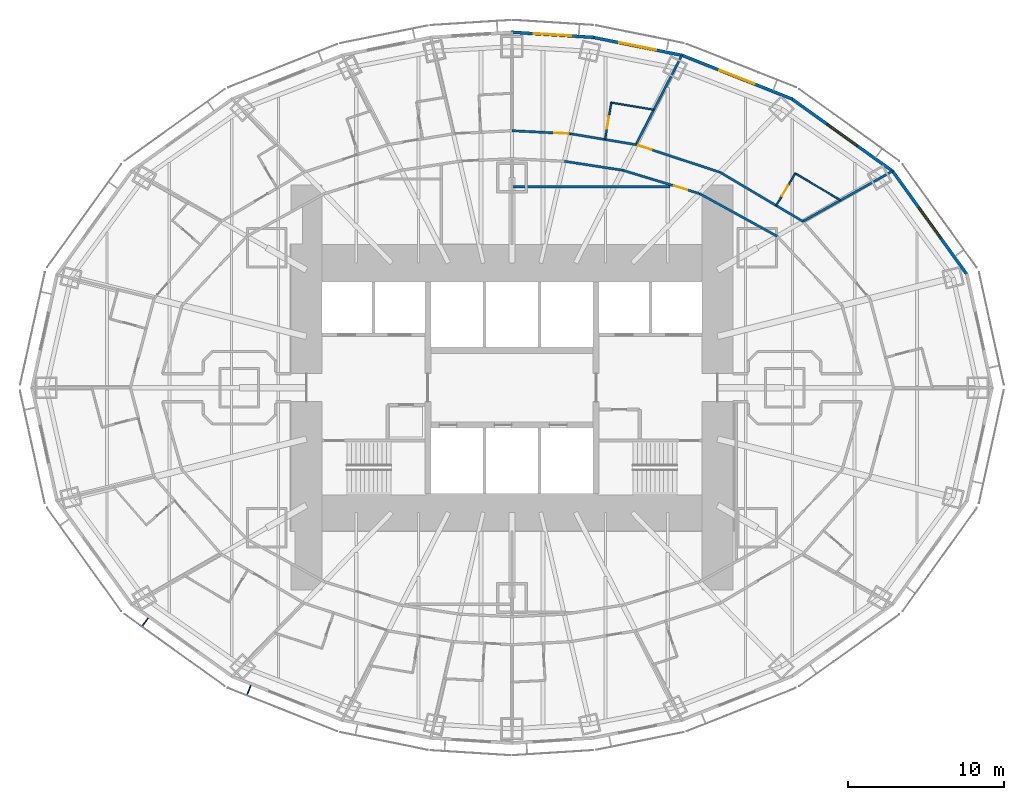
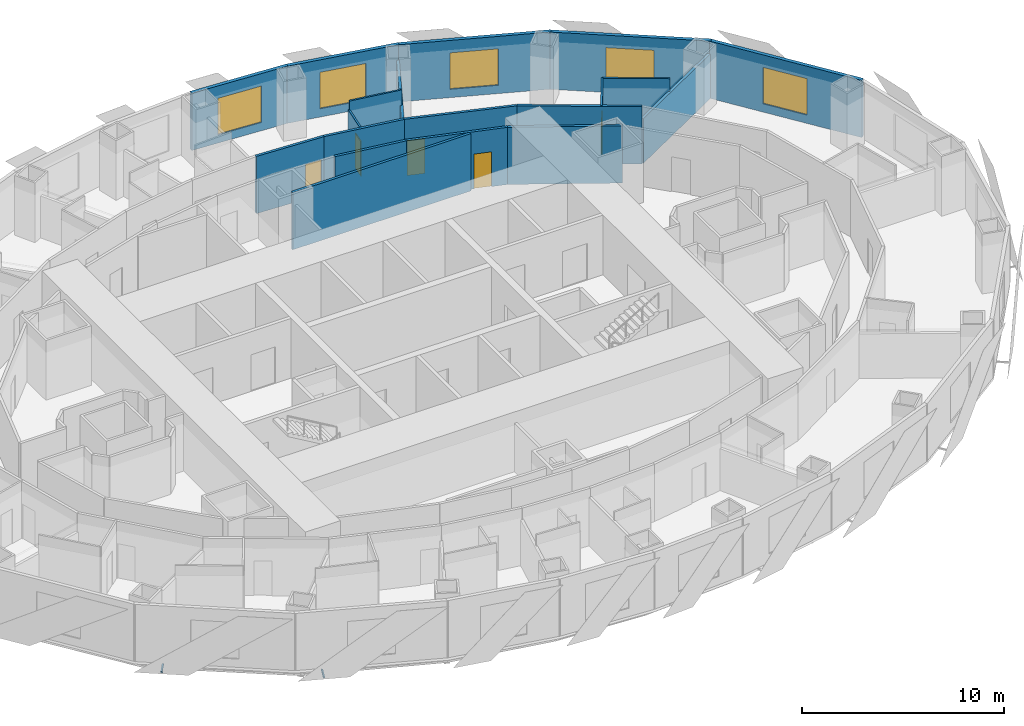
# One storey, part 10 of 15: 19 walls, 5 doors, 5 windows, 2 discrete accessories, 10 openings.
"""IFC4 building model written with IfcOpenShell, lengths in metres."""

from ifc_helpers import new_model, si_unit, direction, frame, frame_2d, origin, origin_2d, place, context, subcontext, project, spatial, rectangle, extrude, material, layer, layer_set, type_object, element, fill, save


model = new_model("IFC4")

# Units and contexts
model_context = context("Model", 3, precision=1e-05, world=origin(), true_north=direction((0.0, 1.0)))
body_context = subcontext(model_context, "Body", "Model", "MODEL_VIEW")
ifc_project = project(units=[si_unit("LENGTHUNIT", "METRE"), si_unit("AREAUNIT", "SQUARE_METRE"), si_unit("VOLUMEUNIT", "CUBIC_METRE"), si_unit("PLANEANGLEUNIT", "RADIAN"), si_unit("MASSUNIT", "GRAM", prefix="KILO")], contexts=[model_context])

# Site, building, storey
site_placement = place(None, origin())
site = spatial("IfcSite", under=ifc_project, at=site_placement, CompositionType="ELEMENT")
building_placement = place(site_placement, origin())
building = spatial("IfcBuilding", under=site, at=building_placement, Name="Lantaw Convention Tower", CompositionType="ELEMENT")
storey_placement = place(building_placement, frame((0.0, 0.0, 62.199951171875)))
storey = spatial("IfcBuildingStorey", under=building, at=storey_placement, Name="L13", CompositionType="ELEMENT", Elevation=62.199951171875)

# Wall
ifc_material_1 = material(Name="Gypsum board on steel studs", Category="steel")
ifc_layer_1 = layer(ifc_material_1, 0.14990234375)
ifc_layer_set_1 = layer_set([ifc_layer_1], Name="Back of house wall 150")
wall_type_1 = type_object("IfcWallType", Name="Back of house wall 150", PredefinedType="PARTITIONING", material=ifc_layer_set_1)
wall_1_placement = place(storey_placement, frame((10.15283203125, 12.89990234375, 0.0), z_axis=(0.0, 0.0, 1.0), x_axis=(-1.0, 0.0, 0.0)))
element("IfcWall", 1, at=wall_1_placement, inside=storey, type_object=wall_type_1, Name="Back of house wall 150", PredefinedType="PARTITIONING", context=body_context, shape_type="SweptSolid", body=[
    extrude(rectangle(XDim=10.15283203125, YDim=0.14990234375, at=frame_2d((5.076416015625, 0.0))), origin(), (0.0, 0.0, 1.0), 3.449951171875),
])

# Wall, opening, door
ifc_material_2 = material(Name="Moisture resistant gypsum board on steel studs", Category="steel")
ifc_layer_2 = layer(ifc_material_2, 0.10009765625)
ifc_layer_set_2 = layer_set([ifc_layer_2], Name="Bathroom wall 100")
wall_type_2 = type_object("IfcWallType", Name="Bathroom wall 100", PredefinedType="PARTITIONING", material=ifc_layer_set_2)
wall_2_placement = place(storey_placement, frame((16.961181640625, 11.6953125, 0.0), z_axis=(0.0, 0.0, 1.0), x_axis=(0.510075642074, 0.860129548012, 0.0)))
wall_2 = element("IfcWall", 2, at=wall_2_placement, inside=storey, type_object=wall_type_2, Name="Bathroom wall 100", PredefinedType="PARTITIONING", context=body_context, shape_type="SweptSolid", body=[
    extrude(rectangle(XDim=2.39990234375, YDim=0.10009765625, at=frame_2d((1.199951171875, 0.0))), origin(), (0.0, 0.0, 1.0), 3.449951171875),
])
opening_1_placement = place(wall_2_placement, frame((0.699951171875, 0.0, 0.0)))
opening_1 = element("IfcOpeningElement", 3, at=opening_1_placement, cuts=wall_2, Name="Opening L13.27", PredefinedType="OPENING", context=body_context, shape_type="SweptSolid", body=[
    extrude(rectangle(XDim=0.800048828125, YDim=2.10009765625, at=frame_2d((0.39990234375, 1.050048828125))), frame((0.0, 0.06005859375, 0.0), z_axis=(0.0, -1.0, 0.0), x_axis=(1.0, 0.0, 0.0)), (0.0, 0.0, 1.0), 0.1201171875),
])
ifc_material_3 = material(Name="Timber", Category="wood")
door_type_1 = type_object("IfcDoorType", Name="Bathroom door 800", OperationType="SINGLE_SWING_LEFT", PredefinedType="DOOR", material=ifc_material_3)
door_1_placement = place(opening_1_placement, origin())
door_1 = element("IfcDoor", 4, at=door_1_placement, inside=storey, type_object=door_type_1, Name="Bathroom door", OperationType="SINGLE_SWING_LEFT", OverallHeight=2.10009765625, OverallWidth=0.800048828125, PredefinedType="DOOR", context=body_context, shape_type="SweptSolid", body=[
    extrude(rectangle(XDim=0.800048828125, YDim=2.10009765625, at=frame_2d((0.39990234375, 1.050048828125))), frame((0.0, 0.02490234375, 0.0), z_axis=(0.0, -1.0, 0.0), x_axis=(1.0, 0.0, 0.0)), (0.0, 0.0, 1.0), 0.050048828125),
])
fill(opening_1, door_1)

# Wall
wall_3_placement = place(storey_placement, frame((18.185302734375, 13.759521484375, 0.0), z_axis=(0.0, 0.0, 1.0), x_axis=(0.860146437071, -0.510047161343, 0.0)))
element("IfcWall", 5, at=wall_3_placement, inside=storey, type_object=wall_type_2, Name="Bathroom wall 100", PredefinedType="PARTITIONING", context=body_context, shape_type="SweptSolid", body=[
    extrude(rectangle(XDim=3.362548828125, YDim=0.10009765625, at=frame_2d((1.68115234375, 0.0))), origin(), (0.0, 0.0, 1.0), 3.449951171875),
])

# Wall, opening, door
wall_4_placement = place(storey_placement, frame((5.979248046875, 15.935302734375, 0.0), z_axis=(0.0, 0.0, 1.0), x_axis=(0.164283516215, 0.986413162067, 0.0)))
wall_4 = element("IfcWall", 6, at=wall_4_placement, inside=storey, type_object=wall_type_2, Name="Bathroom wall 100", PredefinedType="PARTITIONING", context=body_context, shape_type="SweptSolid", body=[
    extrude(rectangle(XDim=2.400146484375, YDim=0.10009765625, at=frame_2d((1.2001953125, 0.0))), origin(), (0.0, 0.0, 1.0), 2.9140625),
])
opening_2_placement = place(wall_4_placement, frame((0.699951171875, 0.0, 0.0)))
opening_2 = element("IfcOpeningElement", 7, at=opening_2_placement, cuts=wall_4, Name="Opening L13.29", PredefinedType="OPENING", context=body_context, shape_type="SweptSolid", body=[
    extrude(rectangle(XDim=0.800048828125, YDim=2.10009765625, at=frame_2d((0.39990234375, 1.050048828125))), frame((0.0, 0.06005859375, 0.0), z_axis=(0.0, -1.0, 0.0), x_axis=(1.0, 0.0, 0.0)), (0.0, 0.0, 1.0), 0.1201171875),
])
door_2_placement = place(opening_2_placement, origin())
door_2 = element("IfcDoor", 8, at=door_2_placement, inside=storey, type_object=door_type_1, Name="Bathroom door", OperationType="SINGLE_SWING_LEFT", OverallHeight=2.10009765625, OverallWidth=0.800048828125, PredefinedType="DOOR", context=body_context, shape_type="SweptSolid", body=[
    extrude(rectangle(XDim=0.800048828125, YDim=2.10009765625, at=frame_2d((0.39990234375, 1.050048828125))), frame((0.0, 0.02490234375, 0.0), z_axis=(0.0, -1.0, 0.0), x_axis=(1.0, 0.0, 0.0)), (0.0, 0.0, 1.0), 0.050048828125),
])
fill(opening_2, door_2)

# Walls
wall_5_placement = place(storey_placement, frame((6.37353515625, 18.302734375, 0.0), z_axis=(0.0, 0.0, 1.0), x_axis=(0.98640348956, -0.164341582641, 0.0)))
element("IfcWall", 9, at=wall_5_placement, inside=storey, type_object=wall_type_2, Name="Bathroom wall 100", PredefinedType="PARTITIONING", context=body_context, shape_type="SweptSolid", body=[
    extrude(rectangle(XDim=2.7587890625, YDim=0.10009765625, at=frame_2d((1.37939453125, 0.0))), origin(), (0.0, 0.0, 1.0), 3.449951171875),
])
ifc_material_4 = material(Name="Gypsum board on steel studs, fire rated", Category="steel")
ifc_layer_3 = layer(ifc_material_4, 0.14990234375)
ifc_layer_set_3 = layer_set([ifc_layer_3], Name="Corridor wall 150 EI 60")
wall_type_3 = type_object("IfcWallType", Name="Corridor wall 150 EI 60", PredefinedType="PARTITIONING", material=ifc_layer_set_3)
wall_6_placement = place(storey_placement, frame((18.681396484375, 10.675048828125, 0.0), z_axis=(0.0, 0.0, 1.0), x_axis=(-0.860147339762, 0.510045639036, 0.0)))
element("IfcWall", 10, at=wall_6_placement, inside=storey, type_object=wall_type_3, Name="Corridor wall 150", PredefinedType="PARTITIONING", context=body_context, shape_type="SweptSolid", body=[
    extrude(rectangle(XDim=6.189697265625, YDim=0.14990234375, at=frame_2d((3.0947265625, 0.0))), origin(), (0.0, 0.0, 1.0), 3.449951171875),
])

# Wall, opening, door
wall_7_placement = place(storey_placement, frame((13.357421875, 13.83203125, 0.0), z_axis=(0.0, 0.0, 1.0), x_axis=(-0.950106803111, 0.311924770869, 0.0)))
wall_7 = element("IfcWall", 11, at=wall_7_placement, inside=storey, type_object=wall_type_3, Name="Corridor wall 150", PredefinedType="PARTITIONING", context=body_context, shape_type="SweptSolid", body=[
    extrude(rectangle(XDim=5.689453125, YDim=0.14990234375, at=frame_2d((2.8447265625, 0.0))), origin(), (0.0, 0.0, 1.0), 3.449951171875),
])
opening_3_placement = place(wall_7_placement, frame((4.639404296875, 0.0, 0.0)))
opening_3 = element("IfcOpeningElement", 12, at=opening_3_placement, cuts=wall_7, Name="Opening L13.28", PredefinedType="OPENING", context=body_context, shape_type="SweptSolid", body=[
    extrude(rectangle(XDim=0.89990234375, YDim=2.10009765625, at=frame_2d((0.449951171875, 1.050048828125))), frame((0.0, 0.0849609375, 0.0), z_axis=(0.0, -1.0, 0.0), x_axis=(1.0, 0.0, 0.0)), (0.0, 0.0, 1.0), 0.169921875),
])
ifc_material_5 = material(Name="Steel, fire rated", Category="steel")
door_type_2 = type_object("IfcDoorType", Name="Guest room entrance door FD30S", OperationType="SINGLE_SWING_LEFT", PredefinedType="DOOR", material=ifc_material_5)
door_3_placement = place(opening_3_placement, origin())
door_3 = element("IfcDoor", 13, at=door_3_placement, inside=storey, type_object=door_type_2, Name="Junior suite entrance door", OperationType="SINGLE_SWING_LEFT", OverallHeight=2.10009765625, OverallWidth=0.89990234375, PredefinedType="DOOR", context=body_context, shape_type="SweptSolid", body=[
    extrude(rectangle(XDim=0.89990234375, YDim=2.10009765625, at=frame_2d((0.449951171875, 1.050048828125))), frame((0.0, 0.02490234375, 0.0), z_axis=(0.0, -1.0, 0.0), x_axis=(1.0, 0.0, 0.0)), (0.0, 0.0, 1.0), 0.050048828125),
])
fill(opening_3, door_3)

# Wall
wall_8_placement = place(storey_placement, frame((7.951904296875, 15.606689453125, 0.0), z_axis=(0.0, 0.0, 1.0), x_axis=(-0.98641101506, 0.164296407044, 0.0)))
element("IfcWall", 14, at=wall_8_placement, inside=storey, type_object=wall_type_3, Name="Corridor wall 150", PredefinedType="PARTITIONING", context=body_context, shape_type="SweptSolid", body=[
    extrude(rectangle(XDim=4.245361328125, YDim=0.14990234375, at=frame_2d((2.12255859375, 0.0))), origin(), (0.0, 0.0, 1.0), 3.449951171875),
])

# Wall, opening, door
wall_9_placement = place(storey_placement, frame((3.76416015625, 16.30419921875, 0.0), z_axis=(0.0, 0.0, 1.0), x_axis=(-0.998649848759, 0.05194689186, 0.0)))
wall_9 = element("IfcWall", 15, at=wall_9_placement, inside=storey, type_object=wall_type_3, Name="Corridor wall 150", PredefinedType="PARTITIONING", context=body_context, shape_type="SweptSolid", body=[
    extrude(rectangle(XDim=3.769287109375, YDim=0.14990234375, at=frame_2d((1.884765625, 0.0))), origin(), (0.0, 0.0, 1.0), 3.449951171875),
])
opening_4_placement = place(wall_9_placement, frame((0.14990234375, 0.0, 0.0)))
opening_4 = element("IfcOpeningElement", 16, at=opening_4_placement, cuts=wall_9, Name="Opening L13.30", PredefinedType="OPENING", context=body_context, shape_type="SweptSolid", body=[
    extrude(rectangle(XDim=0.89990234375, YDim=2.10009765625, at=frame_2d((0.449951171875, 1.050048828125))), frame((0.0, 0.0849609375, 0.0), z_axis=(0.0, -1.0, 0.0), x_axis=(1.0, 0.0, 0.0)), (0.0, 0.0, 1.0), 0.169921875),
])
door_4_placement = place(opening_4_placement, origin())
door_4 = element("IfcDoor", 17, at=door_4_placement, inside=storey, type_object=door_type_2, Name="Junior suite entrance door", OperationType="SINGLE_SWING_LEFT", OverallHeight=2.10009765625, OverallWidth=0.89990234375, PredefinedType="DOOR", context=body_context, shape_type="SweptSolid", body=[
    extrude(rectangle(XDim=0.89990234375, YDim=2.10009765625, at=frame_2d((0.449951171875, 1.050048828125))), frame((0.0, 0.02490234375, 0.0), z_axis=(0.0, -1.0, 0.0), x_axis=(1.0, 0.0, 0.0)), (0.0, 0.0, 1.0), 0.050048828125),
])
fill(opening_4, door_4)

# Wall
wall_10_placement = place(storey_placement, frame((17.020751953125, 9.72607421875, 0.0), z_axis=(0.0, 0.0, 1.0), x_axis=(-0.876522084062, 0.481361647986, 0.0)))
element("IfcWall", 18, at=wall_10_placement, inside=storey, type_object=wall_type_3, Name="Corridor wall 150", PredefinedType="PARTITIONING", context=body_context, shape_type="SweptSolid", body=[
    extrude(rectangle(XDim=5.68701171875, YDim=0.14990234375, at=frame_2d((2.843505859375, 0.0))), origin(), (0.0, 0.0, 1.0), 3.449951171875),
])

# Wall, opening, door
wall_11_placement = place(storey_placement, frame((12.035888671875, 12.463623046875, 0.0), z_axis=(0.0, 0.0, 1.0), x_axis=(-0.956795045135, 0.290763205385, 0.0)))
wall_11 = element("IfcWall", 19, at=wall_11_placement, inside=storey, type_object=wall_type_3, Name="Corridor wall 150", PredefinedType="PARTITIONING", context=body_context, shape_type="SweptSolid", body=[
    extrude(rectangle(XDim=5.1455078125, YDim=0.14990234375, at=frame_2d((2.57275390625, 0.0))), origin(), (0.0, 0.0, 1.0), 3.449951171875),
])
opening_5_placement = place(wall_11_placement, frame((0.81640625, 0.0, 0.0)))
opening_5 = element("IfcOpeningElement", 20, at=opening_5_placement, cuts=wall_11, Name="Opening L13.16", PredefinedType="OPENING", context=body_context, shape_type="SweptSolid", body=[
    extrude(rectangle(XDim=0.89990234375, YDim=2.10009765625, at=frame_2d((0.449951171875, 1.050048828125))), frame((0.0, 0.0849609375, 0.0), z_axis=(0.0, -1.0, 0.0), x_axis=(1.0, 0.0, 0.0)), (0.0, 0.0, 1.0), 0.169921875),
])
door_type_3 = type_object("IfcDoorType", Name="Service door 900 FD30", OperationType="SINGLE_SWING_LEFT", PredefinedType="DOOR", material=ifc_material_5)
door_5_placement = place(opening_5_placement, origin())
door_5 = element("IfcDoor", 21, at=door_5_placement, inside=storey, type_object=door_type_3, Name="Linen store room door", OperationType="SINGLE_SWING_LEFT", OverallHeight=2.10009765625, OverallWidth=0.89990234375, PredefinedType="DOOR", context=body_context, shape_type="SweptSolid", body=[
    extrude(rectangle(XDim=0.89990234375, YDim=2.10009765625, at=frame_2d((0.449951171875, 1.050048828125))), frame((0.0, 0.02490234375, 0.0), z_axis=(0.0, -1.0, 0.0), x_axis=(1.0, 0.0, 0.0)), (0.0, 0.0, 1.0), 0.050048828125),
])
fill(opening_5, door_5)

# Wall
wall_12_placement = place(storey_placement, frame((7.11279296875, 13.959716796875, 0.0), z_axis=(0.0, 0.0, 1.0), x_axis=(-0.988343461108, 0.152240608529, 0.0)))
element("IfcWall", 22, at=wall_12_placement, inside=storey, type_object=wall_type_3, Name="Corridor wall 150", PredefinedType="PARTITIONING", context=body_context, shape_type="SweptSolid", body=[
    extrude(rectangle(XDim=3.800537109375, YDim=0.14990234375, at=frame_2d((1.900390625, 0.0))), origin(), (0.0, 0.0, 1.0), 3.449951171875),
])

# Wall, opening, window
ifc_material_6 = material(Name="Insulated aluminium panel on steel frame", Category="steel")
ifc_layer_4 = layer(ifc_material_6, 0.199951171875)
ifc_layer_set_4 = layer_set([ifc_layer_4], Name="External wall 200")
wall_type_4 = type_object("IfcWallType", Name="External wall 200", PredefinedType="SOLIDWALL", material=ifc_layer_set_4)
wall_13_placement = place(storey_placement, frame((29.260498046875, 7.199951171875, 0.0), z_axis=(0.0, 0.0, 1.0), x_axis=(-0.583937613703, 0.811798536155, 0.0)))
wall_13 = element("IfcWall", 23, at=wall_13_placement, inside=storey, type_object=wall_type_4, Name="Facade panel wall", PredefinedType="SOLIDWALL", context=body_context, shape_type="SweptSolid", body=[
    extrude(rectangle(XDim=8.322998046875, YDim=0.199951171875, at=frame_2d((4.16162109375, 0.0))), origin(), (0.0, 0.0, 1.0), 3.449951171875),
])
opening_6_placement = place(wall_13_placement, frame((2.96142578125, 0.0, 0.5)))
opening_6 = element("IfcOpeningElement", 24, at=opening_6_placement, cuts=wall_13, Name="Opening W1", PredefinedType="OPENING", context=body_context, shape_type="SweptSolid", body=[
    extrude(rectangle(XDim=2.39990234375, YDim=2.199951171875, at=frame_2d((1.199951171875, 1.10009765625))), frame((0.0, 0.10986328125, 0.0), z_axis=(0.0, -1.0, 0.0), x_axis=(1.0, 0.0, 0.0)), (0.0, 0.0, 1.0), 0.219970703125),
])
ifc_material_7 = material(Name="Aluminium frame, clear insulating glass", Category="aluminium")
window_type = type_object("IfcWindowType", Name="Guest room window 2400x2200", PartitioningType="SINGLE_PANEL", PredefinedType="WINDOW", material=ifc_material_7)
window_1_placement = place(opening_6_placement, origin())
window_1 = element("IfcWindow", 25, at=window_1_placement, inside=storey, type_object=window_type, Name="Guest room window", OverallHeight=2.199951171875, OverallWidth=2.39990234375, PartitioningType="SINGLE_PANEL", PredefinedType="WINDOW", context=body_context, shape_type="SweptSolid", body=[
    extrude(rectangle(XDim=2.39990234375, YDim=2.199951171875, at=frame_2d((1.199951171875, 1.10009765625))), frame((0.0, 0.030029296875, 0.0), z_axis=(0.0, -1.0, 0.0), x_axis=(1.0, 0.0, 0.0)), (0.0, 0.0, 1.0), 0.06005859375),
])
fill(opening_6, window_1)

wall_14_placement = place(storey_placement, frame((24.482421875, 13.87451171875, 0.0), z_axis=(0.0, 0.0, 1.0), x_axis=(-0.812791321576, 0.582554948112, 0.0)))
wall_14 = element("IfcWall", 26, at=wall_14_placement, inside=storey, type_object=wall_type_4, Name="Facade panel wall", PredefinedType="SOLIDWALL", context=body_context, shape_type="SweptSolid", body=[
    extrude(rectangle(XDim=8.063232421875, YDim=0.199951171875, at=frame_2d((4.03173828125, 0.0))), origin(), (0.0, 0.0, 1.0), 3.449951171875),
])
opening_7_placement = place(wall_14_placement, frame((2.83154296875, 0.0, 0.5)))
opening_7 = element("IfcOpeningElement", 27, at=opening_7_placement, cuts=wall_14, Name="Opening W1", PredefinedType="OPENING", context=body_context, shape_type="SweptSolid", body=[
    extrude(rectangle(XDim=2.39990234375, YDim=2.199951171875, at=frame_2d((1.199951171875, 1.10009765625))), frame((0.0, 0.10986328125, 0.0), z_axis=(0.0, -1.0, 0.0), x_axis=(1.0, 0.0, 0.0)), (0.0, 0.0, 1.0), 0.219970703125),
])
window_2_placement = place(opening_7_placement, origin())
window_2 = element("IfcWindow", 28, at=window_2_placement, inside=storey, type_object=window_type, Name="Guest room window", OverallHeight=2.199951171875, OverallWidth=2.39990234375, PartitioningType="SINGLE_PANEL", PredefinedType="WINDOW", context=body_context, shape_type="SweptSolid", body=[
    extrude(rectangle(XDim=2.39990234375, YDim=2.199951171875, at=frame_2d((1.199951171875, 1.10009765625))), frame((0.0, 0.030029296875, 0.0), z_axis=(0.0, -1.0, 0.0), x_axis=(1.0, 0.0, 0.0)), (0.0, 0.0, 1.0), 0.06005859375),
])
fill(opening_7, window_2)

wall_15_placement = place(storey_placement, frame((18.018310546875, 18.522705078125, 0.0), z_axis=(0.0, 0.0, 1.0), x_axis=(-0.929358351251, 0.369178892895, 0.0)))
wall_15 = element("IfcWall", 29, at=wall_15_placement, inside=storey, type_object=wall_type_4, Name="Facade panel wall", PredefinedType="SOLIDWALL", context=body_context, shape_type="SweptSolid", body=[
    extrude(rectangle(XDim=7.6923828125, YDim=0.199951171875, at=frame_2d((3.84619140625, 0.0))), origin(), (0.0, 0.0, 1.0), 3.449951171875),
])
opening_8_placement = place(wall_15_placement, frame((2.64599609375, 0.0, 0.5)))
opening_8 = element("IfcOpeningElement", 30, at=opening_8_placement, cuts=wall_15, Name="Opening W1", PredefinedType="OPENING", context=body_context, shape_type="SweptSolid", body=[
    extrude(rectangle(XDim=2.39990234375, YDim=2.199951171875, at=frame_2d((1.199951171875, 1.10009765625))), frame((0.0, 0.10986328125, 0.0), z_axis=(0.0, -1.0, 0.0), x_axis=(1.0, 0.0, 0.0)), (0.0, 0.0, 1.0), 0.219970703125),
])
window_3_placement = place(opening_8_placement, origin())
window_3 = element("IfcWindow", 31, at=window_3_placement, inside=storey, type_object=window_type, Name="Guest room window", OverallHeight=2.199951171875, OverallWidth=2.39990234375, PartitioningType="SINGLE_PANEL", PredefinedType="WINDOW", context=body_context, shape_type="SweptSolid", body=[
    extrude(rectangle(XDim=2.39990234375, YDim=2.199951171875, at=frame_2d((1.199951171875, 1.10009765625))), frame((0.0, 0.030029296875, 0.0), z_axis=(0.0, -1.0, 0.0), x_axis=(1.0, 0.0, 0.0)), (0.0, 0.0, 1.0), 0.06005859375),
])
fill(opening_8, window_3)

wall_16_placement = place(storey_placement, frame((10.956787109375, 21.336669921875, 0.0), z_axis=(0.0, 0.0, 1.0), x_axis=(-0.980251657452, 0.197754110105, 0.0)))
wall_16 = element("IfcWall", 32, at=wall_16_placement, inside=storey, type_object=wall_type_4, Name="Facade panel wall", PredefinedType="SOLIDWALL", context=body_context, shape_type="SweptSolid", body=[
    extrude(rectangle(XDim=5.90380859375, YDim=0.199951171875, at=frame_2d((2.951904296875, 0.0))), origin(), (0.0, 0.0, 1.0), 3.449951171875),
])
opening_9_placement = place(wall_16_placement, frame((1.751708984375, 0.0, 0.5)))
opening_9 = element("IfcOpeningElement", 33, at=opening_9_placement, cuts=wall_16, Name="Opening W1", PredefinedType="OPENING", context=body_context, shape_type="SweptSolid", body=[
    extrude(rectangle(XDim=2.39990234375, YDim=2.199951171875, at=frame_2d((1.199951171875, 1.10009765625))), frame((0.0, 0.10986328125, 0.0), z_axis=(0.0, -1.0, 0.0), x_axis=(1.0, 0.0, 0.0)), (0.0, 0.0, 1.0), 0.219970703125),
])
window_4_placement = place(opening_9_placement, origin())
window_4 = element("IfcWindow", 34, at=window_4_placement, inside=storey, type_object=window_type, Name="Guest room window", OverallHeight=2.199951171875, OverallWidth=2.39990234375, PartitioningType="SINGLE_PANEL", PredefinedType="WINDOW", context=body_context, shape_type="SweptSolid", body=[
    extrude(rectangle(XDim=2.39990234375, YDim=2.199951171875, at=frame_2d((1.199951171875, 1.10009765625))), frame((0.0, 0.030029296875, 0.0), z_axis=(0.0, -1.0, 0.0), x_axis=(1.0, 0.0, 0.0)), (0.0, 0.0, 1.0), 0.06005859375),
])
fill(opening_9, window_4)

wall_17_placement = place(storey_placement, frame((5.252685546875, 22.493408203125, 0.0), z_axis=(0.0, 0.0, 1.0), x_axis=(-0.998018582375, 0.062919863585, 0.0)))
wall_17 = element("IfcWall", 35, at=wall_17_placement, inside=storey, type_object=wall_type_4, Name="Facade panel wall", PredefinedType="SOLIDWALL", context=body_context, shape_type="SweptSolid", body=[
    extrude(rectangle(XDim=5.30419921875, YDim=0.199951171875, at=frame_2d((2.652099609375, 0.0))), origin(), (0.0, 0.0, 1.0), 3.449951171875),
])
opening_10_placement = place(wall_17_placement, frame((1.4521484375, 0.0, 0.5)))
opening_10 = element("IfcOpeningElement", 36, at=opening_10_placement, cuts=wall_17, Name="Opening W1", PredefinedType="OPENING", context=body_context, shape_type="SweptSolid", body=[
    extrude(rectangle(XDim=2.39990234375, YDim=2.199951171875, at=frame_2d((1.199951171875, 1.10009765625))), frame((0.0, 0.10986328125, 0.0), z_axis=(0.0, -1.0, 0.0), x_axis=(1.0, 0.0, 0.0)), (0.0, 0.0, 1.0), 0.219970703125),
])
window_5_placement = place(opening_10_placement, origin())
window_5 = element("IfcWindow", 37, at=window_5_placement, inside=storey, type_object=window_type, Name="Guest room window", OverallHeight=2.199951171875, OverallWidth=2.39990234375, PartitioningType="SINGLE_PANEL", PredefinedType="WINDOW", context=body_context, shape_type="SweptSolid", body=[
    extrude(rectangle(XDim=2.39990234375, YDim=2.199951171875, at=frame_2d((1.199951171875, 1.10009765625))), frame((0.0, 0.030029296875, 0.0), z_axis=(0.0, -1.0, 0.0), x_axis=(1.0, 0.0, 0.0)), (0.0, 0.0, 1.0), 0.06005859375),
])
fill(opening_10, window_5)

# Walls
ifc_material_8 = material(Name="Gypsum board on steel studs, acoustic", Category="steel")
ifc_layer_5 = layer(ifc_material_8, 0.14990234375)
ifc_layer_set_5 = layer_set([ifc_layer_5], Name="Guest room party wall 150")
wall_type_5 = type_object("IfcWallType", Name="Guest room party wall 150", PredefinedType="PARTITIONING", material=ifc_layer_set_5)
wall_18_placement = place(storey_placement, frame((24.434814453125, 13.90869140625, 0.0), z_axis=(0.0, 0.0, 1.0), x_axis=(-0.871747379892, -0.489955616001, 0.0)))
element("IfcWall", 38, at=wall_18_placement, inside=storey, type_object=wall_type_5, Name="Guest room party wall 150", PredefinedType="PARTITIONING", context=body_context, shape_type="SweptSolid", body=[
    extrude(rectangle(XDim=6.599853515625, YDim=0.14990234375, at=frame_2d((3.2998046875, 0.0))), origin(), (0.0, 0.0, 1.0), 2.693115234375),
])
wall_19_placement = place(storey_placement, frame((10.911865234375, 21.345703125, 0.0), z_axis=(0.0, 0.0, 1.0), x_axis=(-0.458384799126, -0.888753833145, 0.0)))
element("IfcWall", 39, at=wall_19_placement, inside=storey, type_object=wall_type_5, Name="Guest room party wall 150", PredefinedType="PARTITIONING", context=body_context, shape_type="SweptSolid", body=[
    extrude(rectangle(XDim=6.457275390625, YDim=0.14990234375, at=frame_2d((3.228515625, 0.0))), origin(), (0.0, 0.0, 1.0), 2.528076171875),
])

# Discrete accessories
for number, where, z_axis, x_axis, name in (
    (40, (-23.564453125, -15.06640625, -0.114990234375), (0.0, 0.0, 1.0), (0.812803733199, -0.5825376308, 0.0), "Screen bracket"),
    (41, (-16.898193359375, -19.4345703125, -0.114990234375), (0.0, 0.0, 1.0), (0.929361152748, -0.369171840425, 0.0), "Screen bracket"),
):
    element("IfcDiscreteAccessory", number, at=place(storey_placement, frame(where, z_axis=z_axis, x_axis=x_axis)), inside=storey, Name=name, PredefinedType="BRACKET", context=body_context, shape_type="SweptSolid", body=[
        extrude(rectangle(XDim=0.080078125, YDim=0.68798828125, at=origin_2d()), origin(), (0.0, 0.0, 1.0), 0.080078125),
    ])

save(model, "model.ifc")
